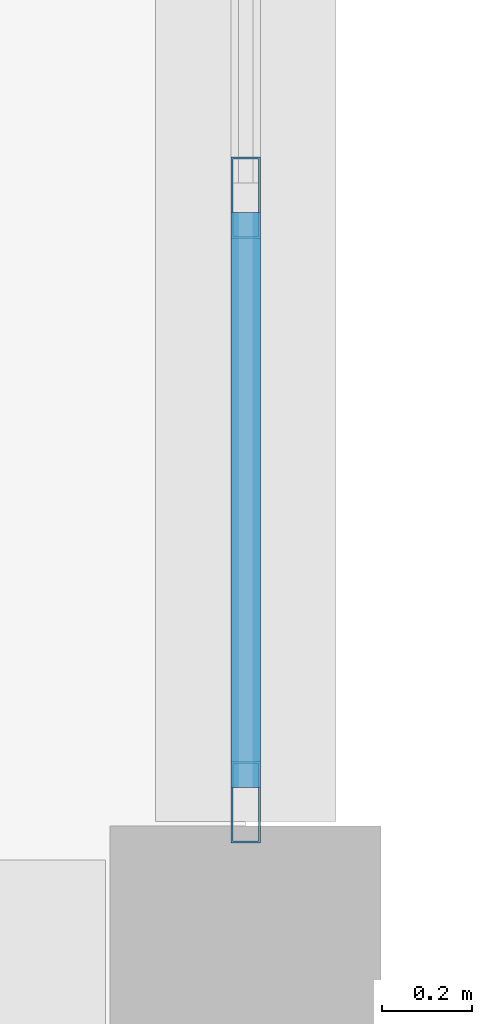
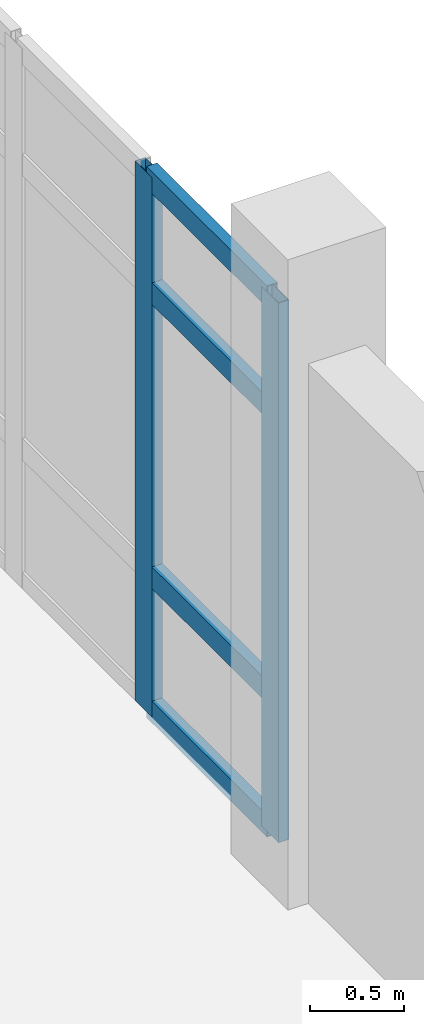
# One storey, part 32 of 164: 6 members, 1 element without a shape of its own.
"""IFC4 building model written with IfcOpenShell, lengths in metres."""

from ifc_helpers import new_model, si_unit, direction, frame, origin, origin_2d, place, context, subcontext, project, spatial, hollow_rectangle, extrude, material, layer, layer_set, material_profile, profile_set, type_object, element, aggregate, save


model = new_model("IFC4")

# Units and contexts
model_context = context("Model", 3, precision=1e-05, world=origin(), true_north=direction((0.0, 1.0)))
body_context = subcontext(model_context, "Body", "Model", "MODEL_VIEW")
ifc_project = project(units=[si_unit("LENGTHUNIT", "METRE"), si_unit("AREAUNIT", "SQUARE_METRE"), si_unit("VOLUMEUNIT", "CUBIC_METRE"), si_unit("PLANEANGLEUNIT", "RADIAN"), si_unit("MASSUNIT", "GRAM", prefix="KILO")], contexts=[model_context])

# Site, building, storey
site_placement = place(None, origin())
site = spatial("IfcSite", under=ifc_project, at=site_placement, CompositionType="ELEMENT")
building_placement = place(site_placement, origin())
building = spatial("IfcBuilding", under=site, at=building_placement, Name="Mawjan Specialist Oncology Clinic", CompositionType="ELEMENT")
storey_placement = place(building_placement, frame((0.0, 0.0, 5.0)))
storey = spatial("IfcBuildingStorey", under=building, at=storey_placement, Name="L01", CompositionType="ELEMENT", Elevation=5.0)

# Curtain wall, members
ifc_material_1 = material(Name="Unitised spectrally selective aluminium curtain wall", Category="aluminium")
ifc_layer = layer(ifc_material_1, 0.179931640625, Name="Unitised spectrally selective aluminium curtain wall", Category="aluminium")
ifc_layer_set = layer_set([ifc_layer], Name="Unitised spectrally selective aluminium curtain wall")
curtain_wall_type = type_object("IfcCurtainWallType", Name="CW-60", PredefinedType="NOTDEFINED", material=ifc_layer_set)
curtain_wall_placement = place(storey_placement, origin())
curtain_wall = element("IfcCurtainWall", 1, at=curtain_wall_placement, inside=storey, type_object=curtain_wall_type, Name="L01 Unitised Curtain Wall CW-L01-140", PredefinedType="NOTDEFINED")
ifc_material_2 = material(Name="Thermally broken aluminium 6063-T6", Category="aluminium")
ifc_material_profile_1 = material_profile(ifc_material_2, hollow_rectangle(XDim=0.06494140625, YDim=0.179931640625, WallThickness=0.00390625, at=origin_2d()), Name="ALU MULLION 180x65x4", Category="aluminium")
ifc_profile_set_1 = profile_set([ifc_material_profile_1], Name="Thermally broken aluminium 6063-T6")
member_type_1 = type_object("IfcMemberType", Name="CW-M180", PredefinedType="MULLION", material=ifc_profile_set_1)
member_1_placement = place(storey_placement, frame((45.0, 32.491943359375, 0.0), z_axis=(0.0, 0.0, 1.0), x_axis=(1.0, 0.0, 0.0)))
member_1 = element("IfcMember", 2, at=member_1_placement, type_object=member_type_1, Name="CW-60 mullion 5", PredefinedType="MULLION", context=body_context, shape_type="SweptSolid", body=[
    extrude(hollow_rectangle(XDim=0.06494140625, YDim=0.179931640625, WallThickness=0.00390625, at=origin_2d()), origin(), (0.0, 0.0, 1.0), 3.485107421875),
])
member_2_placement = place(storey_placement, frame((45.0, 31.152587890625, 0.0), z_axis=(0.0, 0.0, 1.0), x_axis=(1.0, 0.0, 0.0)))
member_2 = element("IfcMember", 3, at=member_2_placement, type_object=member_type_1, Name="CW-60 mullion 6", PredefinedType="MULLION", context=body_context, shape_type="SweptSolid", body=[
    extrude(hollow_rectangle(XDim=0.06494140625, YDim=0.179931640625, WallThickness=0.00390625, at=origin_2d()), origin(), (0.0, 0.0, 1.0), 3.485107421875),
])
ifc_material_3 = material(Name="Thermally broken aluminium 6063-T6", Category="aluminium")
ifc_material_profile_2 = material_profile(ifc_material_3, hollow_rectangle(XDim=0.06494140625, YDim=0.139892578125, WallThickness=0.00390625, at=origin_2d()), Name="ALU TRANSOM 140x65x4", Category="aluminium")
ifc_profile_set_2 = profile_set([ifc_material_profile_2], Name="Thermally broken aluminium 6063-T6")
member_type_2 = type_object("IfcMemberType", Name="CW-T140", PredefinedType="USERDEFINED", material=ifc_profile_set_2)
member_3_placement = place(storey_placement, frame((45.0, 32.45947265625, 0.032470703125), z_axis=(0.0, -1.0, 0.0), x_axis=(1.0, 0.0, 0.0)))
member_3 = element("IfcMember", 4, at=member_3_placement, type_object=member_type_2, Name="CW-60 transom 5.1", ObjectType="TRANSOM", PredefinedType="USERDEFINED", context=body_context, shape_type="SweptSolid", body=[
    extrude(hollow_rectangle(XDim=0.06494140625, YDim=0.139892578125, WallThickness=0.00390625, at=origin_2d()), origin(), (0.0, 0.0, 1.0), 1.2744140625),
])
member_4_placement = place(storey_placement, frame((45.0, 32.45947265625, 0.89990234375), z_axis=(0.0, -1.0, 0.0), x_axis=(1.0, 0.0, 0.0)))
member_4 = element("IfcMember", 5, at=member_4_placement, type_object=member_type_2, Name="CW-60 transom 5.2", ObjectType="TRANSOM", PredefinedType="USERDEFINED", context=body_context, shape_type="SweptSolid", body=[
    extrude(hollow_rectangle(XDim=0.06494140625, YDim=0.139892578125, WallThickness=0.00390625, at=origin_2d()), origin(), (0.0, 0.0, 1.0), 1.2744140625),
])
member_5_placement = place(storey_placement, frame((45.0, 32.45947265625, 2.735107421875), z_axis=(0.0, -1.0, 0.0), x_axis=(1.0, 0.0, 0.0)))
member_5 = element("IfcMember", 6, at=member_5_placement, type_object=member_type_2, Name="CW-60 transom 5.3", ObjectType="TRANSOM", PredefinedType="USERDEFINED", context=body_context, shape_type="SweptSolid", body=[
    extrude(hollow_rectangle(XDim=0.06494140625, YDim=0.139892578125, WallThickness=0.00390625, at=origin_2d()), origin(), (0.0, 0.0, 1.0), 1.2744140625),
])
member_6_placement = place(storey_placement, frame((45.0, 32.45947265625, 3.452392578125), z_axis=(0.0, -1.0, 0.0), x_axis=(1.0, 0.0, 0.0)))
member_6 = element("IfcMember", 7, at=member_6_placement, type_object=member_type_2, Name="CW-60 transom 5.4", ObjectType="TRANSOM", PredefinedType="USERDEFINED", context=body_context, shape_type="SweptSolid", body=[
    extrude(hollow_rectangle(XDim=0.06494140625, YDim=0.139892578125, WallThickness=0.00390625, at=origin_2d()), origin(), (0.0, 0.0, 1.0), 1.2744140625),
])
aggregate(curtain_wall, [member_1, member_2, member_3, member_4, member_5, member_6])

save(model, "model.ifc")
